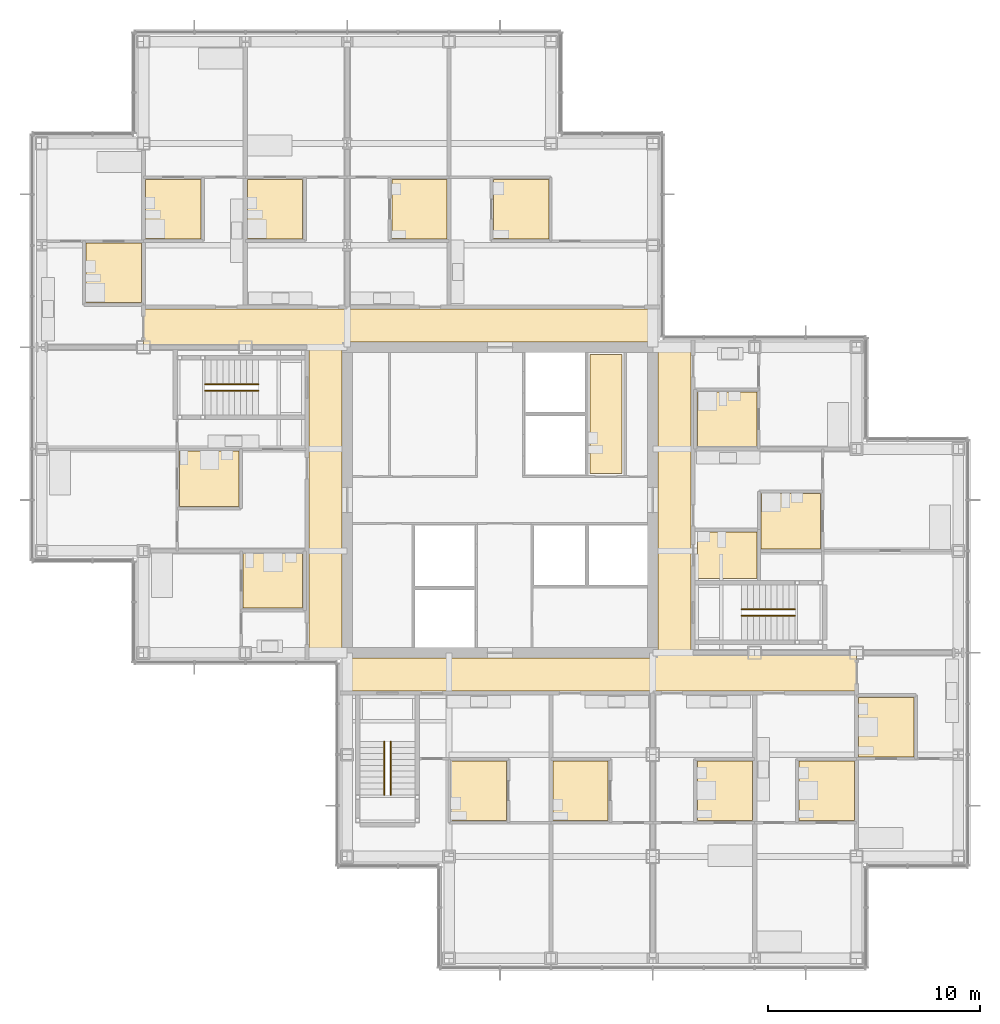
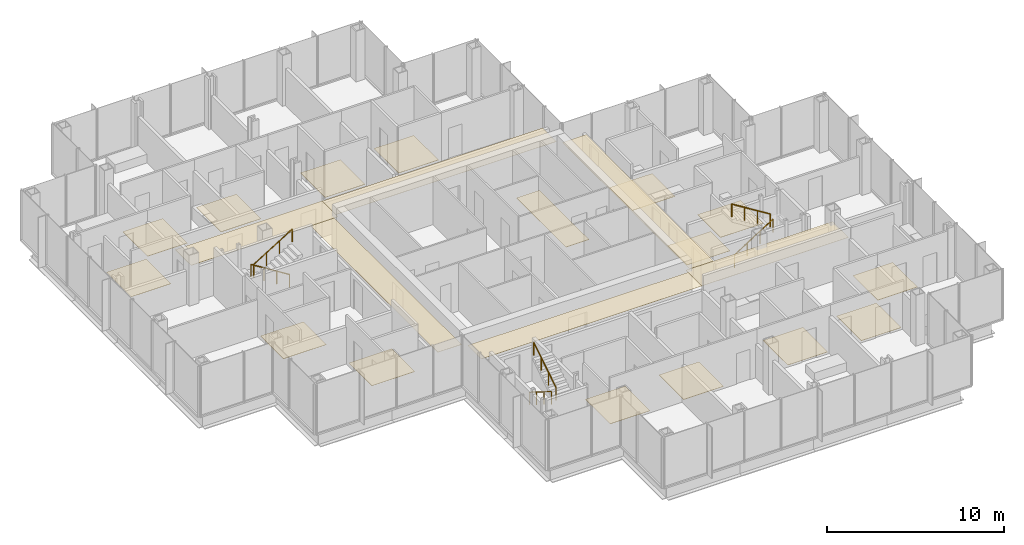
# One storey, part 18 of 20: 22 coverings, 6 railings.
"""IFC4 building model written with IfcOpenShell, lengths in metres."""

from ifc_helpers import new_model, si_unit, direction, frame, origin, origin_2d, place, context, subcontext, project, spatial, polyline, circle, outline, extrude, material, layer, layer_set, type_object, element, save


model = new_model("IFC4")

# Units and contexts
model_context = context("Model", 3, precision=1e-05, world=origin(), true_north=direction((0.0, 1.0)))
body_context = subcontext(model_context, "Body", "Model", "MODEL_VIEW")
ifc_project = project(units=[si_unit("LENGTHUNIT", "METRE"), si_unit("AREAUNIT", "SQUARE_METRE"), si_unit("VOLUMEUNIT", "CUBIC_METRE"), si_unit("PLANEANGLEUNIT", "RADIAN"), si_unit("MASSUNIT", "GRAM", prefix="KILO")], contexts=[model_context])

# Site, building, storey
site_placement = place(None, origin())
site = spatial("IfcSite", under=ifc_project, at=site_placement, CompositionType="ELEMENT")
building_placement = place(site_placement, origin())
building = spatial("IfcBuilding", under=site, at=building_placement, Name="Kvirike Care Tower", CompositionType="ELEMENT")
storey_placement = place(building_placement, frame((0.0, 0.0, 112.0)))
storey = spatial("IfcBuildingStorey", under=building, at=storey_placement, Name="L30", CompositionType="ELEMENT", Elevation=112.0)

# Coverings
ifc_material_1 = material(Name="Perforated metal ceiling tile", Category="aluminium")
ifc_layer_1 = layer(ifc_material_1, 0.014892578125)
ifc_layer_set_1 = layer_set([ifc_layer_1], Name="CORRIDOR CEILING 15")
covering_type_1 = type_object("IfcCoveringType", Name="CORRIDOR CEILING 15", PredefinedType="CEILING", material=ifc_layer_set_1)
covering_1_placement = place(storey_placement, frame((0.0, 0.0, 2.5)))
element("IfcCovering", 1, at=covering_1_placement, inside=storey, type_object=covering_type_1, Name="Corridor ceiling L30", PredefinedType="CEILING", context=body_context, shape_type="SweptSolid", body=[
    extrude(outline(polyline([(12.60009765625, 43.199951171875), (14.14990234375, 43.199951171875), (14.14990234375, 28.800048828125), (12.60009765625, 28.800048828125), (12.60009765625, 43.199951171875)])), origin(), (0.0, 0.0, 1.0), 0.014892578125),
])
covering_2_placement = place(storey_placement, frame((0.0, 0.0, 2.5)))
element("IfcCovering", 2, at=covering_2_placement, inside=storey, type_object=covering_type_1, Name="Corridor ceiling L30", PredefinedType="CEILING", context=body_context, shape_type="SweptSolid", body=[
    extrude(outline(polyline([(14.39990234375, 45.0), (14.39990234375, 43.199951171875), (4.800048828125, 43.199951171875), (4.800048828125, 45.0), (14.39990234375, 45.0)])), origin(), (0.0, 0.0, 1.0), 0.014892578125),
])
covering_3_placement = place(storey_placement, frame((0.0, 0.0, 2.5)))
element("IfcCovering", 3, at=covering_3_placement, inside=storey, type_object=covering_type_1, Name="Corridor ceiling L30", PredefinedType="CEILING", context=body_context, shape_type="SweptSolid", body=[
    extrude(outline(polyline([(14.39990234375, 27.0), (14.39990234375, 28.550048828125), (28.800048828125, 28.550048828125), (28.800048828125, 27.0), (14.39990234375, 27.0)])), origin(), (0.0, 0.0, 1.0), 0.014892578125),
])
covering_4_placement = place(storey_placement, frame((0.0, 0.0, 2.5)))
element("IfcCovering", 4, at=covering_4_placement, inside=storey, type_object=covering_type_1, Name="Corridor ceiling L30", PredefinedType="CEILING", context=body_context, shape_type="SweptSolid", body=[
    extrude(outline(polyline([(28.800048828125, 45.0), (28.800048828125, 43.449951171875), (14.39990234375, 43.449951171875), (14.39990234375, 45.0), (28.800048828125, 45.0)])), origin(), (0.0, 0.0, 1.0), 0.014892578125),
])
covering_5_placement = place(storey_placement, frame((0.0, 0.0, 2.5)))
element("IfcCovering", 5, at=covering_5_placement, inside=storey, type_object=covering_type_1, Name="Corridor ceiling L30", PredefinedType="CEILING", context=body_context, shape_type="SweptSolid", body=[
    extrude(outline(polyline([(28.800048828125, 27.0), (28.800048828125, 28.800048828125), (38.39990234375, 28.800048828125), (38.39990234375, 27.0), (28.800048828125, 27.0)])), origin(), (0.0, 0.0, 1.0), 0.014892578125),
])
covering_6_placement = place(storey_placement, frame((0.0, 0.0, 2.5)))
element("IfcCovering", 6, at=covering_6_placement, inside=storey, type_object=covering_type_1, Name="Corridor ceiling L30", PredefinedType="CEILING", context=body_context, shape_type="SweptSolid", body=[
    extrude(outline(polyline([(30.60009765625, 28.800048828125), (29.050048828125, 28.800048828125), (29.050048828125, 43.199951171875), (30.60009765625, 43.199951171875), (30.60009765625, 28.800048828125)])), origin(), (0.0, 0.0, 1.0), 0.014892578125),
])

# Railings
ifc_material_2 = material(Name="Stainless steel handrail", Category="steel")
railing_type = type_object("IfcRailingType", Name="STAIR HANDRAIL 900", PredefinedType="HANDRAIL", material=ifc_material_2)
railing_1_placement = place(storey_placement, frame((10.219970703125, 41.449951171875, 0.175048828125)))
element("IfcRailing", 7, at=railing_1_placement, inside=storey, type_object=railing_type, Name="Stair 1 handrail L30 flight 1", PredefinedType="HANDRAIL", context=body_context, shape_type="SweptSolid", body=[
    extrude(circle(Radius=0.02490234375, at=origin_2d()), frame((0.0, 0.0, 0.875), z_axis=(-0.848007534815, 0.0, 0.529984170421), x_axis=(0.0, -1.0, 0.0)), (0.0, 0.0, 1.0), 2.9716796875),
    extrude(circle(Radius=0.02001953125, at=origin_2d()), origin(), (0.0, 0.0, 1.0), 0.849853515625),
    extrude(circle(Radius=0.02001953125, at=origin_2d()), frame((-0.840087890625, 0.0, 0.52490234375)), (0.0, 0.0, 1.0), 0.849853515625),
    extrude(circle(Radius=0.02001953125, at=origin_2d()), frame((-1.679931640625, 0.0, 1.050048828125)), (0.0, 0.0, 1.0), 0.849853515625),
    extrude(circle(Radius=0.02001953125, at=origin_2d()), frame((-2.52001953125, 0.0, 1.574951171875)), (0.0, 0.0, 1.0), 0.849853515625),
])
for number, where, name in (
    (8, (7.699951171875, 41.14990234375, 1.925048828125), "Stair 1 handrail L30 flight 2"),
    (9, (32.97998046875, 30.550048828125, 0.175048828125), "Stair 2 handrail L30 flight 1"),
):
    element("IfcRailing", number, at=place(storey_placement, frame(where)), inside=storey, type_object=railing_type, Name=name, PredefinedType="HANDRAIL", context=body_context, shape_type="SweptSolid", body=[
        extrude(circle(Radius=0.02490234375, at=origin_2d()), frame((0.0, 0.0, 0.875), z_axis=(0.848007534815, 0.0, 0.529984170421), x_axis=(0.0, 1.0, 0.0)), (0.0, 0.0, 1.0), 2.9716796875),
        extrude(circle(Radius=0.02001953125, at=origin_2d()), origin(), (0.0, 0.0, 1.0), 0.849853515625),
        extrude(circle(Radius=0.02001953125, at=origin_2d()), frame((0.840087890625, 0.0, 0.52490234375)), (0.0, 0.0, 1.0), 0.849853515625),
        extrude(circle(Radius=0.02001953125, at=origin_2d()), frame((1.679931640625, 0.0, 1.050048828125)), (0.0, 0.0, 1.0), 0.849853515625),
        extrude(circle(Radius=0.02001953125, at=origin_2d()), frame((2.52001953125, 0.0, 1.574951171875)), (0.0, 0.0, 1.0), 0.849853515625),
    ])
railing_2_placement = place(storey_placement, frame((35.5, 30.85009765625, 1.925048828125)))
element("IfcRailing", 10, at=railing_2_placement, inside=storey, type_object=railing_type, Name="Stair 2 handrail L30 flight 2", PredefinedType="HANDRAIL", context=body_context, shape_type="SweptSolid", body=[
    extrude(circle(Radius=0.02490234375, at=origin_2d()), frame((0.0, 0.0, 0.875), z_axis=(-0.848007534815, 0.0, 0.529984170421), x_axis=(0.0, -1.0, 0.0)), (0.0, 0.0, 1.0), 2.9716796875),
    extrude(circle(Radius=0.02001953125, at=origin_2d()), origin(), (0.0, 0.0, 1.0), 0.849853515625),
    extrude(circle(Radius=0.02001953125, at=origin_2d()), frame((-0.840087890625, 0.0, 0.52490234375)), (0.0, 0.0, 1.0), 0.849853515625),
    extrude(circle(Radius=0.02001953125, at=origin_2d()), frame((-1.679931640625, 0.0, 1.050048828125)), (0.0, 0.0, 1.0), 0.849853515625),
    extrude(circle(Radius=0.02001953125, at=origin_2d()), frame((-2.52001953125, 0.0, 1.574951171875)), (0.0, 0.0, 1.0), 0.849853515625),
])
railing_3_placement = place(storey_placement, frame((16.14990234375, 24.6201171875, 0.175048828125)))
element("IfcRailing", 11, at=railing_3_placement, inside=storey, type_object=railing_type, Name="Stair 5 handrail L30 flight 1", PredefinedType="HANDRAIL", context=body_context, shape_type="SweptSolid", body=[
    extrude(circle(Radius=0.02490234375, at=origin_2d()), frame((0.0, 0.0, 0.875), z_axis=(0.0, -0.848007534815, 0.529984170421), x_axis=(1.0, 0.0, 0.0)), (0.0, 0.0, 1.0), 2.9716796875),
    extrude(circle(Radius=0.02001953125, at=origin_2d()), origin(), (0.0, 0.0, 1.0), 0.849853515625),
    extrude(circle(Radius=0.02001953125, at=origin_2d()), frame((0.0, -0.840087890625, 0.52490234375)), (0.0, 0.0, 1.0), 0.849853515625),
    extrude(circle(Radius=0.02001953125, at=origin_2d()), frame((0.0, -1.679931640625, 1.050048828125)), (0.0, 0.0, 1.0), 0.849853515625),
    extrude(circle(Radius=0.02001953125, at=origin_2d()), frame((0.0, -2.52001953125, 1.574951171875)), (0.0, 0.0, 1.0), 0.849853515625),
])
railing_4_placement = place(storey_placement, frame((16.449951171875, 22.10009765625, 1.925048828125)))
element("IfcRailing", 12, at=railing_4_placement, inside=storey, type_object=railing_type, Name="Stair 5 handrail L30 flight 2", PredefinedType="HANDRAIL", context=body_context, shape_type="SweptSolid", body=[
    extrude(circle(Radius=0.02490234375, at=origin_2d()), frame((0.0, 0.0, 0.875), z_axis=(0.0, 0.848007534815, 0.529984170421), x_axis=(-1.0, 0.0, 0.0)), (0.0, 0.0, 1.0), 2.9716796875),
    extrude(circle(Radius=0.02001953125, at=origin_2d()), origin(), (0.0, 0.0, 1.0), 0.849853515625),
    extrude(circle(Radius=0.02001953125, at=origin_2d()), frame((0.0, 0.840087890625, 0.52490234375)), (0.0, 0.0, 1.0), 0.849853515625),
    extrude(circle(Radius=0.02001953125, at=origin_2d()), frame((0.0, 1.679931640625, 1.050048828125)), (0.0, 0.0, 1.0), 0.849853515625),
    extrude(circle(Radius=0.02001953125, at=origin_2d()), frame((0.0, 2.52001953125, 1.574951171875)), (0.0, 0.0, 1.0), 0.849853515625),
])

# Coverings
ifc_material_3 = material(Name="Slip-resistant vinyl safety flooring on screed")
ifc_layer_2 = layer(ifc_material_3, 0.02001953125)
ifc_layer_set_2 = layer_set([ifc_layer_2], Name="WET ROOM FLOOR 20")
covering_type_2 = type_object("IfcCoveringType", Name="WET ROOM FLOOR 20", PredefinedType="FLOORING", material=ifc_layer_set_2)
covering_7_placement = place(storey_placement, origin())
element("IfcCovering", 13, at=covering_7_placement, inside=storey, type_object=covering_type_2, Name="En-suite floor L30-005", PredefinedType="FLOORING", context=body_context, shape_type="SweptSolid", body=[
    extrude(outline(polyline([(6.5, 38.300048828125), (9.300048828125, 38.300048828125), (9.300048828125, 35.699951171875), (6.5, 35.699951171875), (6.5, 38.300048828125)])), origin(), (0.0, 0.0, 1.0), 0.02001953125),
])
covering_8_placement = place(storey_placement, origin())
element("IfcCovering", 14, at=covering_8_placement, inside=storey, type_object=covering_type_2, Name="En-suite floor L30-009", PredefinedType="FLOORING", context=body_context, shape_type="SweptSolid", body=[
    extrude(outline(polyline([(9.5, 33.5), (12.300048828125, 33.5), (12.300048828125, 30.89990234375), (9.5, 30.89990234375), (9.5, 33.5)])), origin(), (0.0, 0.0, 1.0), 0.02001953125),
])
covering_9_placement = place(storey_placement, origin())
element("IfcCovering", 15, at=covering_9_placement, inside=storey, type_object=covering_type_2, Name="En-suite floor L30-013", PredefinedType="FLOORING", context=body_context, shape_type="SweptSolid", body=[
    extrude(outline(polyline([(12.300048828125, 51.10009765625), (12.300048828125, 48.300048828125), (9.699951171875, 48.300048828125), (9.699951171875, 51.10009765625), (12.300048828125, 51.10009765625)])), origin(), (0.0, 0.0, 1.0), 0.02001953125),
])
covering_10_placement = place(storey_placement, origin())
element("IfcCovering", 16, at=covering_10_placement, inside=storey, type_object=covering_type_2, Name="En-suite floor L30-016", PredefinedType="FLOORING", context=body_context, shape_type="SweptSolid", body=[
    extrude(outline(polyline([(7.5, 51.10009765625), (7.5, 48.300048828125), (4.89990234375, 48.300048828125), (4.89990234375, 51.10009765625), (7.5, 51.10009765625)])), origin(), (0.0, 0.0, 1.0), 0.02001953125),
])
covering_11_placement = place(storey_placement, origin())
element("IfcCovering", 17, at=covering_11_placement, inside=storey, type_object=covering_type_2, Name="En-suite floor L30-019", PredefinedType="FLOORING", context=body_context, shape_type="SweptSolid", body=[
    extrude(outline(polyline([(4.699951171875, 48.10009765625), (4.699951171875, 45.300048828125), (2.10009765625, 45.300048828125), (2.10009765625, 48.10009765625), (4.699951171875, 48.10009765625)])), origin(), (0.0, 0.0, 1.0), 0.02001953125),
])
covering_12_placement = place(storey_placement, origin())
element("IfcCovering", 18, at=covering_12_placement, inside=storey, type_object=covering_type_2, Name="Accessible WC floor L30-024", PredefinedType="FLOORING", context=body_context, shape_type="SweptSolid", body=[
    extrude(outline(polyline([(19.300048828125, 20.89990234375), (19.300048828125, 23.699951171875), (21.89990234375, 23.699951171875), (21.89990234375, 20.89990234375), (19.300048828125, 20.89990234375)])), origin(), (0.0, 0.0, 1.0), 0.02001953125),
])
covering_13_placement = place(storey_placement, origin())
element("IfcCovering", 19, at=covering_13_placement, inside=storey, type_object=covering_type_2, Name="Staff WC floor L30-027", PredefinedType="FLOORING", context=body_context, shape_type="SweptSolid", body=[
    extrude(outline(polyline([(24.10009765625, 20.89990234375), (24.10009765625, 23.699951171875), (26.699951171875, 23.699951171875), (26.699951171875, 20.89990234375), (24.10009765625, 20.89990234375)])), origin(), (0.0, 0.0, 1.0), 0.02001953125),
])
covering_14_placement = place(storey_placement, origin())
element("IfcCovering", 20, at=covering_14_placement, inside=storey, type_object=covering_type_2, Name="Accessible WC floor L30-031", PredefinedType="FLOORING", context=body_context, shape_type="SweptSolid", body=[
    extrude(outline(polyline([(23.89990234375, 51.10009765625), (23.89990234375, 48.300048828125), (21.300048828125, 48.300048828125), (21.300048828125, 51.10009765625), (23.89990234375, 51.10009765625)])), origin(), (0.0, 0.0, 1.0), 0.02001953125),
])
covering_15_placement = place(storey_placement, origin())
element("IfcCovering", 21, at=covering_15_placement, inside=storey, type_object=covering_type_2, Name="Staff WC floor L30-034", PredefinedType="FLOORING", context=body_context, shape_type="SweptSolid", body=[
    extrude(outline(polyline([(19.10009765625, 51.10009765625), (19.10009765625, 48.300048828125), (16.5, 48.300048828125), (16.5, 51.10009765625), (19.10009765625, 51.10009765625)])), origin(), (0.0, 0.0, 1.0), 0.02001953125),
])
covering_16_placement = place(storey_placement, origin())
element("IfcCovering", 22, at=covering_16_placement, inside=storey, type_object=covering_type_2, Name="En-suite floor L30-038", PredefinedType="FLOORING", context=body_context, shape_type="SweptSolid", body=[
    extrude(outline(polyline([(30.89990234375, 20.89990234375), (30.89990234375, 23.699951171875), (33.5, 23.699951171875), (33.5, 20.89990234375), (30.89990234375, 20.89990234375)])), origin(), (0.0, 0.0, 1.0), 0.02001953125),
])
covering_17_placement = place(storey_placement, origin())
element("IfcCovering", 23, at=covering_17_placement, inside=storey, type_object=covering_type_2, Name="En-suite floor L30-041", PredefinedType="FLOORING", context=body_context, shape_type="SweptSolid", body=[
    extrude(outline(polyline([(35.699951171875, 20.89990234375), (35.699951171875, 23.699951171875), (38.300048828125, 23.699951171875), (38.300048828125, 20.89990234375), (35.699951171875, 20.89990234375)])), origin(), (0.0, 0.0, 1.0), 0.02001953125),
])
covering_18_placement = place(storey_placement, origin())
element("IfcCovering", 24, at=covering_18_placement, inside=storey, type_object=covering_type_2, Name="En-suite floor L30-044", PredefinedType="FLOORING", context=body_context, shape_type="SweptSolid", body=[
    extrude(outline(polyline([(38.5, 23.89990234375), (38.5, 26.699951171875), (41.10009765625, 26.699951171875), (41.10009765625, 23.89990234375), (38.5, 23.89990234375)])), origin(), (0.0, 0.0, 1.0), 0.02001953125),
])
covering_19_placement = place(storey_placement, origin())
element("IfcCovering", 25, at=covering_19_placement, inside=storey, type_object=covering_type_2, Name="Accessible WC floor L30-050", PredefinedType="FLOORING", context=body_context, shape_type="SweptSolid", body=[
    extrude(outline(polyline([(33.699951171875, 32.300048828125), (30.89990234375, 32.300048828125), (30.89990234375, 34.5), (33.699951171875, 34.5), (33.699951171875, 32.300048828125)])), origin(), (0.0, 0.0, 1.0), 0.02001953125),
])
covering_20_placement = place(storey_placement, origin())
element("IfcCovering", 26, at=covering_20_placement, inside=storey, type_object=covering_type_2, Name="En-suite floor L30-051", PredefinedType="FLOORING", context=body_context, shape_type="SweptSolid", body=[
    extrude(outline(polyline([(36.699951171875, 33.699951171875), (33.89990234375, 33.699951171875), (33.89990234375, 36.300048828125), (36.699951171875, 36.300048828125), (36.699951171875, 33.699951171875)])), origin(), (0.0, 0.0, 1.0), 0.02001953125),
])
covering_21_placement = place(storey_placement, origin())
element("IfcCovering", 27, at=covering_21_placement, inside=storey, type_object=covering_type_2, Name="En-suite floor L30-054", PredefinedType="FLOORING", context=body_context, shape_type="SweptSolid", body=[
    extrude(outline(polyline([(33.699951171875, 38.5), (30.89990234375, 38.5), (30.89990234375, 41.10009765625), (33.699951171875, 41.10009765625), (33.699951171875, 38.5)])), origin(), (0.0, 0.0, 1.0), 0.02001953125),
])
covering_22_placement = place(storey_placement, origin())
element("IfcCovering", 28, at=covering_22_placement, inside=storey, type_object=covering_type_2, Name="Staff WC floor L30-062", PredefinedType="FLOORING", context=body_context, shape_type="SweptSolid", body=[
    extrude(outline(polyline([(27.35009765625, 37.25), (25.85009765625, 37.25), (25.85009765625, 42.85009765625), (27.35009765625, 42.85009765625), (27.35009765625, 37.25)])), origin(), (0.0, 0.0, 1.0), 0.02001953125),
])

save(model, "model.ifc")
